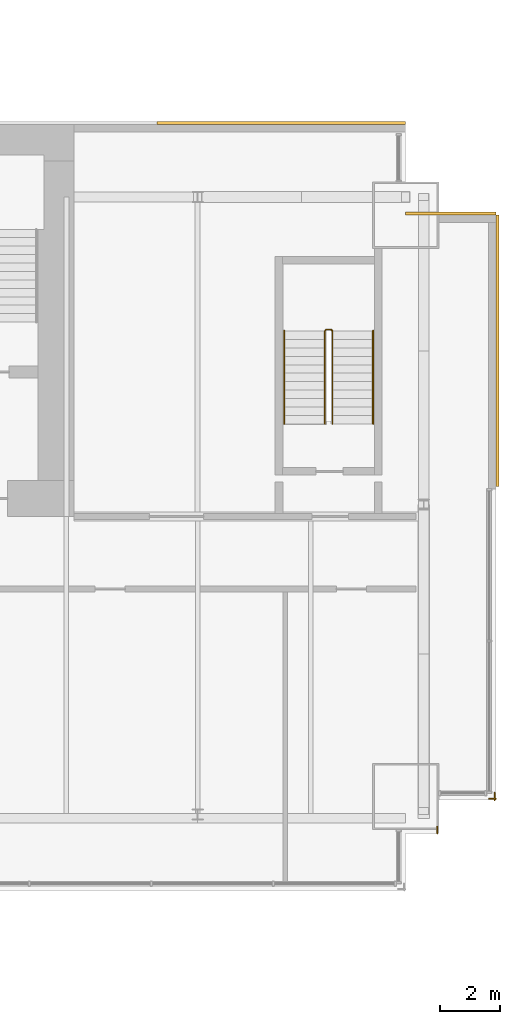
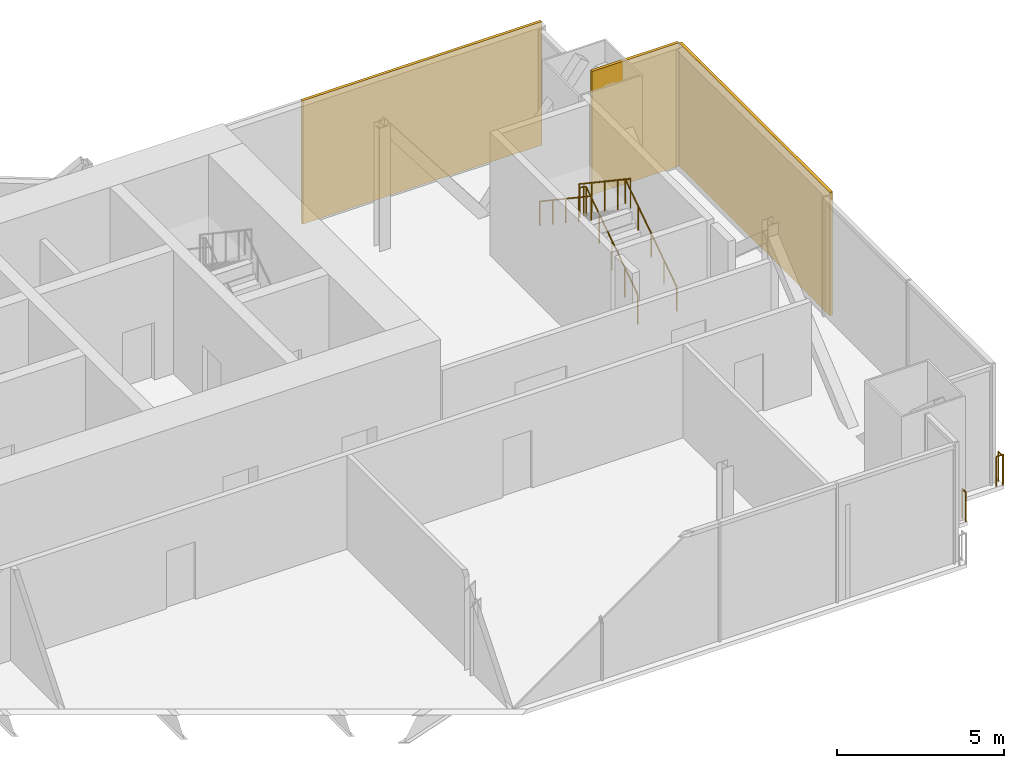
# One storey, part 16 of 16: 5 railings, 3 coverings.
"""IFC4 building model written with IfcOpenShell, lengths in metres."""

from ifc_helpers import new_model, si_unit, direction, frame, origin, origin_2d, place, context, subcontext, project, spatial, rectangle, circle, extrude, material, layer, layer_set, type_object, element, save


model = new_model("IFC4")

# Units and contexts
model_context = context("Model", 3, precision=1e-05, world=origin(), true_north=direction((0.0, 1.0)))
body_context = subcontext(model_context, "Body", "Model", "MODEL_VIEW")
ifc_project = project(units=[si_unit("LENGTHUNIT", "METRE"), si_unit("AREAUNIT", "SQUARE_METRE"), si_unit("VOLUMEUNIT", "CUBIC_METRE"), si_unit("PLANEANGLEUNIT", "RADIAN"), si_unit("MASSUNIT", "GRAM", prefix="KILO")], contexts=[model_context])

# Site, building, storey
site_placement = place(None, origin())
site = spatial("IfcSite", under=ifc_project, at=site_placement, CompositionType="ELEMENT")
building_placement = place(site_placement, origin())
building = spatial("IfcBuilding", under=site, at=building_placement, Name="Bicima Exchange Tower", CompositionType="ELEMENT")
storey_placement = place(building_placement, frame((0.0, 0.0, 329.0)))
storey = spatial("IfcBuildingStorey", under=building, at=storey_placement, Name="L74", CompositionType="ELEMENT", Elevation=329.0)

# Coverings
ifc_material_1 = material(Name="Bronze metal cladding")
ifc_layer_1 = layer(ifc_material_1, 0.004)
ifc_material_2 = material(Name="Ventilated cavity")
ifc_layer_2 = layer(ifc_material_2, 0.06)
ifc_material_3 = material(Name="Galvanised steel rail and mineral wool", Category="steel")
ifc_layer_3 = layer(ifc_material_3, 0.036)
ifc_layer_set = layer_set([ifc_layer_1, ifc_layer_2, ifc_layer_3], Name="Ventilated cavity")
covering_type = type_object("IfcCoveringType", Name="Bronze metal cladding panel 100", PredefinedType="CLADDING", material=ifc_layer_set)
covering_1_placement = place(storey_placement, frame((28.875, 0.050048828125, -0.14990234375), z_axis=(0.0, 0.0, 1.0), x_axis=(-1.0, 0.0, 0.0)))
element("IfcCovering", 1, at=covering_1_placement, inside=storey, type_object=covering_type, Name="Bronze cladding L74 1.1", PredefinedType="CLADDING", context=body_context, shape_type="SweptSolid", body=[
    extrude(rectangle(XDim=8.25, YDim=0.10009765625, at=origin_2d()), origin(), (0.0, 0.0, 1.0), 4.5),
])
covering_2_placement = place(storey_placement, frame((36.050048828125, -7.5, -0.14990234375), z_axis=(0.0, 0.0, 1.0), x_axis=(0.0, 1.0, 0.0)))
element("IfcCovering", 2, at=covering_2_placement, inside=storey, type_object=covering_type, Name="Bronze cladding L74 50.1", PredefinedType="CLADDING", context=body_context, shape_type="SweptSolid", body=[
    extrude(rectangle(XDim=9.0, YDim=0.10009765625, at=origin_2d()), origin(), (0.0, 0.0, 1.0), 4.5),
])
covering_3_placement = place(storey_placement, frame((34.5, -2.949951171875, -0.14990234375), z_axis=(0.0, 0.0, 1.0), x_axis=(-1.0, 0.0, 0.0)))
element("IfcCovering", 3, at=covering_3_placement, inside=storey, type_object=covering_type, Name="Bronze cladding L74 51.1", PredefinedType="CLADDING", context=body_context, shape_type="SweptSolid", body=[
    extrude(rectangle(XDim=3.0, YDim=0.10009765625, at=origin_2d()), origin(), (0.0, 0.0, 1.0), 4.5),
])

# Railings
ifc_material_4 = material(Name="Stainless steel and bonded safety glass", Category="steel")
railing_type_1 = type_object("IfcRailingType", Name="Edge guard 1100", PredefinedType="GUARDRAIL", material=ifc_material_4)
railing_1_placement = place(storey_placement, frame((35.949951171875, -22.158935546875, 0.0)))
element("IfcRailing", 4, at=railing_1_placement, inside=storey, type_object=railing_type_1, Name="Edge guard L74 386", PredefinedType="GUARDRAIL", context=body_context, shape_type="SweptSolid", body=[
    extrude(circle(Radius=0.02392578125, at=origin_2d()), frame((0.0, 0.0, 1.076171875), z_axis=(0.0, -1.0, 0.0), x_axis=(1.0, 0.0, 0.0)), (0.0, 0.0, 1.0), 0.2490234375),
    extrude(circle(Radius=0.02392578125, at=origin_2d()), frame((0.0, -0.2490234375, 1.076171875), z_axis=(0.707106781187, 0.707106781187, 0.0), x_axis=(-0.707106781187, 0.707106781187, 0.0)), (0.0, 0.0, 1.0), 0.07080078125),
    extrude(circle(Radius=0.02392578125, at=origin_2d()), frame((0.050048828125, -0.198974609375, 1.076171875), z_axis=(-1.0, 0.0, 0.0), x_axis=(0.0, -1.0, 0.0)), (0.0, 0.0, 1.0), 0.237060546875),
    extrude(circle(Radius=0.02099609375, at=origin_2d()), origin(), (0.0, 0.0, 1.0), 1.052001953125),
    extrude(circle(Radius=0.02099609375, at=origin_2d()), frame((0.0, -0.2490234375, 0.0)), (0.0, 0.0, 1.0), 1.052001953125),
    extrude(circle(Radius=0.02099609375, at=origin_2d()), frame((0.050048828125, -0.198974609375, 0.0)), (0.0, 0.0, 1.0), 1.052001953125),
    extrude(circle(Radius=0.02099609375, at=origin_2d()), frame((-0.18701171875, -0.198974609375, 0.0)), (0.0, 0.0, 1.0), 1.052001953125),
])
railing_2_placement = place(storey_placement, frame((34.050048828125, -23.2880859375, 0.0)))
element("IfcRailing", 5, at=railing_2_placement, inside=storey, type_object=railing_type_1, Name="Edge guard L74 387", PredefinedType="GUARDRAIL", context=body_context, shape_type="SweptSolid", body=[
    extrude(circle(Radius=0.02392578125, at=origin_2d()), frame((0.0, 0.0, 1.076171875), z_axis=(0.0, -1.0, 0.0), x_axis=(1.0, 0.0, 0.0)), (0.0, 0.0, 1.0), 0.219970703125),
    extrude(circle(Radius=0.02099609375, at=origin_2d()), origin(), (0.0, 0.0, 1.0), 1.052001953125),
    extrude(circle(Radius=0.02099609375, at=origin_2d()), frame((0.0, -0.219970703125, 0.0)), (0.0, 0.0, 1.0), 1.052001953125),
])
ifc_material_5 = material(Name="Stainless steel", Category="steel")
railing_type_2 = type_object("IfcRailingType", Name="Stair guard 1100", PredefinedType="GUARDRAIL", material=ifc_material_5)
railing_3_placement = place(storey_placement, frame((30.574951171875, -9.925048828125, 0.1875)))
element("IfcRailing", 6, at=railing_3_placement, inside=storey, type_object=railing_type_2, Name="L74 ST-EE stair guard 1", PredefinedType="GUARDRAIL", context=body_context, shape_type="SweptSolid", body=[
    extrude(circle(Radius=0.02392578125, at=origin_2d()), frame((0.0, 0.0, 1.076171875), z_axis=(0.0, 0.830913701846, 0.55640131208), x_axis=(-1.0, 0.0, 0.0)), (0.0, 0.0, 1.0), 3.706787109375),
    extrude(circle(Radius=0.02392578125, at=origin_2d()), frame((0.0, 3.080078125, 3.138671875), z_axis=(-0.707106781187, 0.707106781187, 0.0), x_axis=(-0.707106781187, -0.707106781187, 0.0)), (0.0, 0.0, 1.0), 0.07080078125),
    extrude(circle(Radius=0.02392578125, at=origin_2d()), frame((-0.050048828125, 3.130126953125, 3.138671875), z_axis=(-1.0, 0.0, 0.0), x_axis=(0.0, -1.0, 0.0)), (0.0, 0.0, 1.0), 0.14990234375),
    extrude(circle(Radius=0.02392578125, at=origin_2d()), frame((-0.199951171875, 3.130126953125, 3.138671875), z_axis=(-0.249726431254, -0.249726431254, 0.935560483917), x_axis=(0.707106781187, -0.707106781187, 0.0)), (0.0, 0.0, 1.0), 0.200439453125),
    extrude(circle(Radius=0.02392578125, at=origin_2d()), frame((-0.25, 3.080078125, 3.326171875), z_axis=(0.0, -0.830913701846, 0.55640131208), x_axis=(1.0, 0.0, 0.0)), (0.0, 0.0, 1.0), 3.706787109375),
    extrude(circle(Radius=0.02099609375, at=origin_2d()), origin(), (0.0, 0.0, 1.0), 1.052001953125),
    extrude(circle(Radius=0.02099609375, at=origin_2d()), frame((0.0, 0.77001953125, 0.515625)), (0.0, 0.0, 1.0), 1.052001953125),
    extrude(circle(Radius=0.02099609375, at=origin_2d()), frame((0.0, 1.5400390625, 1.03125)), (0.0, 0.0, 1.0), 1.052001953125),
    extrude(circle(Radius=0.02099609375, at=origin_2d()), frame((0.0, 2.31005859375, 1.546875)), (0.0, 0.0, 1.0), 1.052001953125),
    extrude(circle(Radius=0.02099609375, at=origin_2d()), frame((0.0, 3.080078125, 2.0625)), (0.0, 0.0, 1.0), 1.052001953125),
    extrude(circle(Radius=0.02099609375, at=origin_2d()), frame((-0.050048828125, 3.130126953125, 2.0625)), (0.0, 0.0, 1.0), 1.052001953125),
    extrude(circle(Radius=0.02099609375, at=origin_2d()), frame((-0.199951171875, 3.130126953125, 2.0625)), (0.0, 0.0, 1.0), 1.052001953125),
    extrude(circle(Radius=0.02099609375, at=origin_2d()), frame((-0.25, 3.080078125, 2.25)), (0.0, 0.0, 1.0), 1.052001953125),
    extrude(circle(Radius=0.02099609375, at=origin_2d()), frame((-0.25, 2.31005859375, 2.765625)), (0.0, 0.0, 1.0), 1.052001953125),
    extrude(circle(Radius=0.02099609375, at=origin_2d()), frame((-0.25, 1.5400390625, 3.28125)), (0.0, 0.0, 1.0), 1.052001953125),
    extrude(circle(Radius=0.02099609375, at=origin_2d()), frame((-0.25, 0.77001953125, 3.796875)), (0.0, 0.0, 1.0), 1.052001953125),
    extrude(circle(Radius=0.02099609375, at=origin_2d()), frame((-0.25, 0.0, 4.3125)), (0.0, 0.0, 1.0), 1.052001953125),
])
railing_type_3 = type_object("IfcRailingType", Name="Stair handrail 900", PredefinedType="HANDRAIL", material=ifc_material_5)
railing_4_placement = place(storey_placement, frame((31.925048828125, -9.925048828125, 0.1875)))
element("IfcRailing", 7, at=railing_4_placement, inside=storey, type_object=railing_type_3, Name="L74 ST-EE stair handrail 1", PredefinedType="HANDRAIL", context=body_context, shape_type="SweptSolid", body=[
    extrude(circle(Radius=0.02392578125, at=origin_2d()), frame((0.0, 0.0, 0.8759765625), z_axis=(0.0, 0.830913701846, 0.55640131208), x_axis=(-1.0, 0.0, 0.0)), (0.0, 0.0, 1.0), 3.706787109375),
    extrude(circle(Radius=0.02099609375, at=origin_2d()), origin(), (0.0, 0.0, 1.0), 0.851806640625),
    extrude(circle(Radius=0.02099609375, at=origin_2d()), frame((0.0, 0.77001953125, 0.515625)), (0.0, 0.0, 1.0), 0.851806640625),
    extrude(circle(Radius=0.02099609375, at=origin_2d()), frame((0.0, 1.5400390625, 1.03125)), (0.0, 0.0, 1.0), 0.851806640625),
    extrude(circle(Radius=0.02099609375, at=origin_2d()), frame((0.0, 2.31005859375, 1.546875)), (0.0, 0.0, 1.0), 0.851806640625),
    extrude(circle(Radius=0.02099609375, at=origin_2d()), frame((0.0, 3.080078125, 2.0625)), (0.0, 0.0, 1.0), 0.851806640625),
])
railing_5_placement = place(storey_placement, frame((28.97509765625, -6.844970703125, 2.47900390625)))
element("IfcRailing", 8, at=railing_5_placement, inside=storey, type_object=railing_type_3, Name="L74 ST-EE stair handrail 2", PredefinedType="HANDRAIL", context=body_context, shape_type="SweptSolid", body=[
    extrude(circle(Radius=0.02392578125, at=origin_2d()), frame((0.0, 0.0, 0.8759765625), z_axis=(0.0, -0.830913701846, 0.55640131208), x_axis=(1.0, 0.0, 0.0)), (0.0, 0.0, 1.0), 3.706787109375),
    extrude(circle(Radius=0.02099609375, at=origin_2d()), origin(), (0.0, 0.0, 1.0), 0.851806640625),
    extrude(circle(Radius=0.02099609375, at=origin_2d()), frame((0.0, -0.77001953125, 0.515625)), (0.0, 0.0, 1.0), 0.851806640625),
    extrude(circle(Radius=0.02099609375, at=origin_2d()), frame((0.0, -1.5400390625, 1.03125)), (0.0, 0.0, 1.0), 0.851806640625),
    extrude(circle(Radius=0.02099609375, at=origin_2d()), frame((0.0, -2.31005859375, 1.546875)), (0.0, 0.0, 1.0), 0.851806640625),
    extrude(circle(Radius=0.02099609375, at=origin_2d()), frame((0.0, -3.080078125, 2.0625)), (0.0, 0.0, 1.0), 0.851806640625),
])

save(model, "model.ifc")
